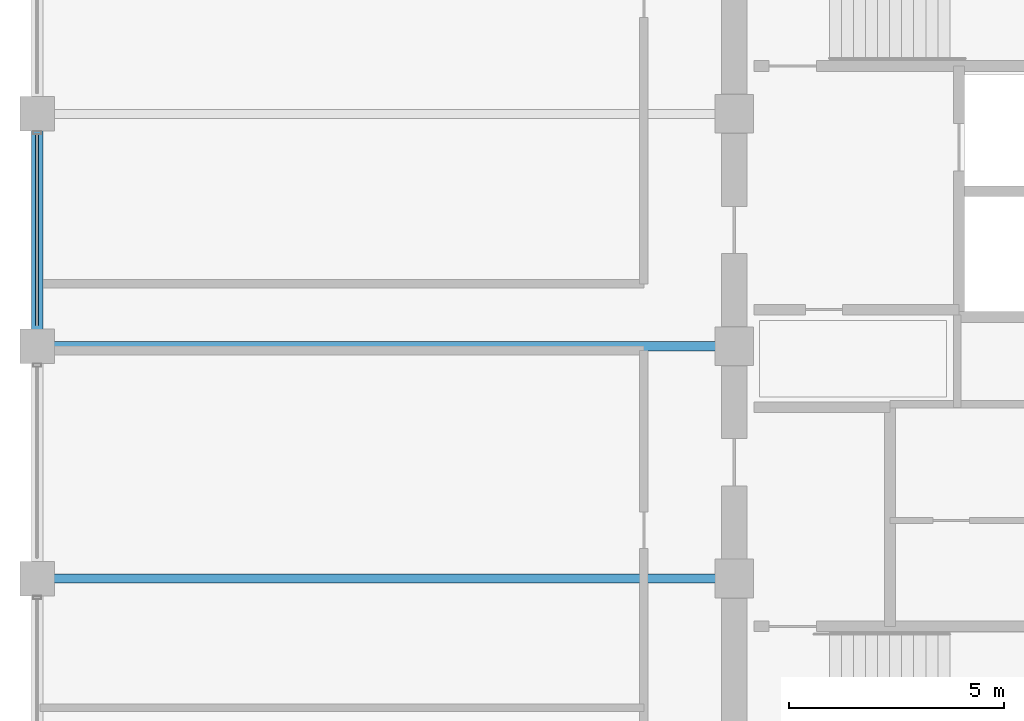
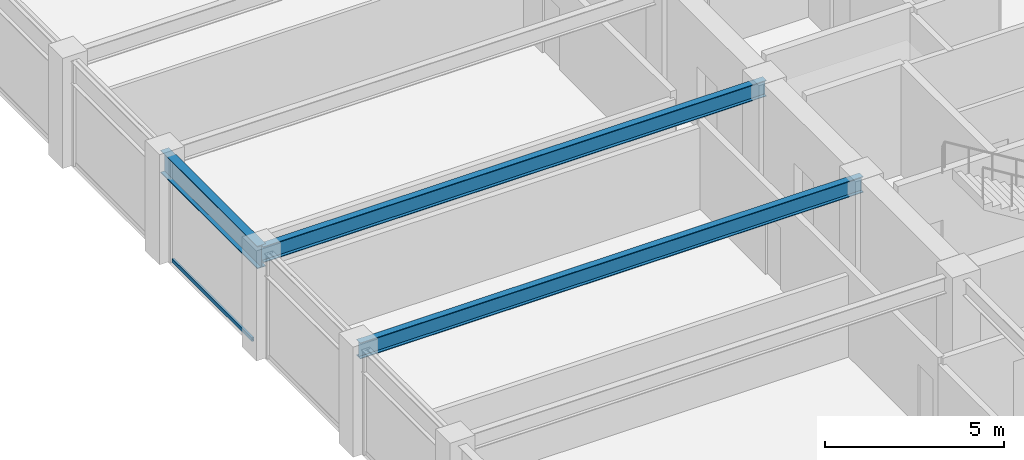
# One storey, part 9 of 32: 3 beams, 1 member, 1 element without a shape of its own.
"""IFC4 building model written with IfcOpenShell, lengths in metres."""

import ifcopenshell
import ifcopenshell.guid

model = None  # the IFC model being written
_history = None  # IfcOwnerHistory: only IFC2X3 demands one
_inside = {}  # id of a spatial element -> (the spatial element, [elements in it])
_under = {}  # id of a project, library or spatial element -> (it, [spatial elements below it])
_declared = {}  # id of a project -> (the project, [libraries it declares])
_typed = {}  # id of a type object -> (the type object, [elements of that type])
_made_of = {}  # id of a material, layer set ... -> (it, [elements and type objects made of it])


def new_model(schema):
    """Start an empty IFC model of exactly this schema.

    Asked for "IFC4X3", IfcOpenShell would pick the latest addendum, in which some entities
    have other attributes; the version numbers below select the first issue.
    IFC2X3 requires an IfcOwnerHistory on every rooted entity: one is made here for all.
    """
    global model, _history
    if schema == "IFC4X3":
        model = ifcopenshell.file(schema_version=(4, 3, 0, 0))
    else:
        model = ifcopenshell.file(schema=schema)
    _inside.clear()
    _under.clear()
    _declared.clear()
    _typed.clear()
    _made_of.clear()
    _history = None
    if model.schema == "IFC2X3":
        org = make("IfcOrganization", Name="unknown")
        user = make(
            "IfcPersonAndOrganization",
            ThePerson=make("IfcPerson", FamilyName="unknown"),
            TheOrganization=org,
        )
        app = make(
            "IfcApplication",
            ApplicationDeveloper=org,
            Version="unknown",
            ApplicationFullName="unknown",
            ApplicationIdentifier="unknown",
        )
        _history = make(
            "IfcOwnerHistory",
            OwningUser=user,
            OwningApplication=app,
            ChangeAction="ADDED",
            CreationDate=0,
        )
    return model


def make(cls, **values):
    """One entity of the class cls with the attributes given. An attribute that is None is left unset."""
    return model.create_entity(
        cls, **{name: value for name, value in values.items() if value is not None}
    )


def rooted(cls, **values):
    """An entity with a GlobalId (a new one), such as an element, a storey or a relation."""
    return make(cls, GlobalId=ifcopenshell.guid.new(), OwnerHistory=_history, **values)


def si_unit(unit_type, name, prefix=None):
    """IfcSIUnit, for example si_unit("LENGTHUNIT", "METRE", prefix="MILLI")."""
    return make("IfcSIUnit", UnitType=unit_type, Prefix=prefix, Name=name)


def assignment(units):
    """IfcUnitAssignment: the units of a project."""
    return None if units is None else make("IfcUnitAssignment", Units=units)


def point(xyz):
    """IfcCartesianPoint."""
    return None if xyz is None else make("IfcCartesianPoint", Coordinates=xyz)


def direction(xyz):
    """IfcDirection."""
    return None if xyz is None else make("IfcDirection", DirectionRatios=xyz)


def frame(location, z_axis=None, x_axis=None):
    """IfcAxis2Placement3D, a coordinate frame: its origin and axes. An axis left out is left unset."""
    return make(
        "IfcAxis2Placement3D",
        Location=point(location),
        Axis=direction(z_axis),
        RefDirection=direction(x_axis),
    )


def frame_2d(location, x_axis=None):
    """IfcAxis2Placement2D, a coordinate frame in the plane: its origin and x axis."""
    return make(
        "IfcAxis2Placement2D", Location=point(location), RefDirection=direction(x_axis)
    )


def origin():
    """The frame at (0, 0, 0) with its axes left unset."""
    return frame((0.0, 0.0, 0.0))


def origin_2d():
    """The frame at (0, 0) in the plane with its x axis left unset."""
    return frame_2d((0.0, 0.0))


def place(relative_to, where):
    """IfcLocalPlacement: puts the frame where relative to a parent placement (None: the world)."""
    return make(
        "IfcLocalPlacement", PlacementRelTo=relative_to, RelativePlacement=where
    )


def context(
    kind, dimensions, precision=None, world=None, true_north=None, identifier=None
):
    """IfcGeometricRepresentationContext, for example the 3D "Model" context."""
    return make(
        "IfcGeometricRepresentationContext",
        ContextIdentifier=identifier,
        ContextType=kind,
        CoordinateSpaceDimension=dimensions,
        Precision=precision,
        WorldCoordinateSystem=world,
        TrueNorth=true_north,
    )


def subcontext(parent, identifier, kind, view, scale=None):
    """IfcGeometricRepresentationSubContext, for example "Body" below "Model"."""
    return make(
        "IfcGeometricRepresentationSubContext",
        ContextIdentifier=identifier,
        ContextType=kind,
        ParentContext=parent,
        TargetScale=scale,
        TargetView=view,
    )


def project(units=None, contexts=None):
    """IfcProject with its units and contexts."""
    return rooted(
        "IfcProject",
        Name="project",
        RepresentationContexts=contexts,
        UnitsInContext=assignment(units),
    )


def spatial(cls, under=None, at=None, **own):
    """A site, building, storey or space (cls), placed at a placement, below another one or the project."""
    s = rooted(cls, ObjectPlacement=at, **own)
    if under is not None:
        _under.setdefault(under.id(), (under, []))[1].append(s)
    return s


def profile(cls, at=None, kind="AREA", **sizes):
    """A parametric profile (cls). Its sizes go by their IFC names, for example OverallWidth=200.0."""
    return make(cls, ProfileType=kind, Position=at, **sizes)


def hollow_rectangle(**sizes):
    """IfcRectangleHollowProfileDef."""
    return profile("IfcRectangleHollowProfileDef", **sizes)


def i_section(**sizes):
    """IfcIShapeProfileDef."""
    return profile("IfcIShapeProfileDef", **sizes)


def extrude(swept, where, along, depth):
    """IfcExtrudedAreaSolid: the profile swept, set in the frame where, extruded along a direction by depth."""
    return make(
        "IfcExtrudedAreaSolid",
        SweptArea=swept,
        Position=where,
        ExtrudedDirection=direction(along),
        Depth=depth,
    )


def shape(context_of_items, identifier, shape_type, items):
    """IfcShapeRepresentation: the items that make up one representation, for example the "Body"."""
    return make(
        "IfcShapeRepresentation",
        ContextOfItems=context_of_items,
        RepresentationIdentifier=identifier,
        RepresentationType=shape_type,
        Items=items,
    )


def material(Name=None, Category=None):
    """IfcMaterial."""
    return make("IfcMaterial", Name=Name, Category=Category)


def layer(
    of_material, thickness, ventilated=None, Name=None, Category=None, Priority=None
):
    """IfcMaterialLayer: one layer of a wall or slab, of a material (None: an air gap)."""
    return make(
        "IfcMaterialLayer",
        Material=of_material,
        LayerThickness=thickness,
        IsVentilated=ventilated,
        Name=Name,
        Category=Category,
        Priority=Priority,
    )


def layer_set(layers, Name=None):
    """IfcMaterialLayerSet."""
    return make("IfcMaterialLayerSet", MaterialLayers=layers, LayerSetName=Name)


def material_profile(
    of_material, cross_section, Name=None, Category=None, Priority=None
):
    """IfcMaterialProfile: a cross section and its material."""
    return make(
        "IfcMaterialProfile",
        Name=Name,
        Material=of_material,
        Profile=cross_section,
        Priority=Priority,
        Category=Category,
    )


def profile_set(profiles, Name=None, composite=None):
    """IfcMaterialProfileSet."""
    return make(
        "IfcMaterialProfileSet",
        Name=Name,
        MaterialProfiles=profiles,
        CompositeProfile=composite,
    )


def made_of(thing, what):
    """Note that an element or type object is made of a material, layer set ...; save() writes the relation."""
    if what is not None:
        _made_of.setdefault(what.id(), (what, []))[1].append(thing)
    return thing


def type_object(cls, material=None, **own):
    """A type object (cls), such as IfcWallType, which elements share."""
    return made_of(rooted(cls, **own), material)


def element(
    cls,
    number,
    at=None,
    inside=None,
    cuts=None,
    type_object=None,
    material=None,
    context=None,
    identifier="Body",
    shape_type=None,
    held_by="IfcProductDefinitionShape",
    body=None,
    shapes=None,
    **own,
):
    """One element of the class cls, such as IfcWall. Its Tag is "e" and its number.

    at: its placement. inside: the storey or other place that contains it. cuts: it is an
    opening in that element (IfcRelVoidsElement). A single representation is given by context,
    identifier, shape_type and body (its items); several are given by shapes. held_by: the class
    of the entity that holds the representations. save() writes the other relations.
    """
    e = rooted(cls, Tag="e%d" % number, ObjectPlacement=at, **own)
    if body is not None:
        shapes = [shape(context, identifier, shape_type, body)]
    if shapes is not None:
        e.Representation = make(held_by, Representations=shapes)
    if inside is not None:
        _inside.setdefault(inside.id(), (inside, []))[1].append(e)
    if cuts is not None:
        rooted(
            "IfcRelVoidsElement", RelatingBuildingElement=cuts, RelatedOpeningElement=e
        )
    if type_object is not None:
        _typed.setdefault(type_object.id(), (type_object, []))[1].append(e)
    return made_of(e, material)


def aggregate(whole, parts):
    """IfcRelAggregates: a whole, such as a stair, and the parts it consists of."""
    return rooted("IfcRelAggregates", RelatingObject=whole, RelatedObjects=parts)


def save(model, path):
    """Write the relations noted so far, then the file.

    IfcRelAggregates (storeys below a building ...), IfcRelContainedInSpatialStructure (elements
    in a storey), IfcRelDefinesByType, IfcRelAssociatesMaterial and IfcRelDeclares: one each for
    every whole, place, type object, material and project.
    """
    for whole, parts in _under.values():
        aggregate(whole, parts)
    for where, things in _inside.values():
        rooted(
            "IfcRelContainedInSpatialStructure",
            RelatedElements=things,
            RelatingStructure=where,
        )
    for kind, things in _typed.values():
        rooted("IfcRelDefinesByType", RelatedObjects=things, RelatingType=kind)
    for what, things in _made_of.values():
        rooted("IfcRelAssociatesMaterial", RelatedObjects=things, RelatingMaterial=what)
    for by, libraries in _declared.values():
        rooted("IfcRelDeclares", RelatingContext=by, RelatedDefinitions=libraries)
    model.write(path)


model = new_model("IFC4")

# Units and contexts
model_context = context("Model", 3, precision=1e-05, world=origin(), true_north=direction((0.0, 1.0)))
body_context = subcontext(model_context, "Body", "Model", "MODEL_VIEW")
ifc_project = project(units=[si_unit("LENGTHUNIT", "METRE"), si_unit("AREAUNIT", "SQUARE_METRE"), si_unit("VOLUMEUNIT", "CUBIC_METRE"), si_unit("PLANEANGLEUNIT", "RADIAN"), si_unit("MASSUNIT", "GRAM", prefix="KILO")], contexts=[model_context])

# Site, building, storey
site_placement = place(None, origin())
site = spatial("IfcSite", under=ifc_project, at=site_placement, CompositionType="ELEMENT")
building_placement = place(site_placement, origin())
building = spatial("IfcBuilding", under=site, at=building_placement, Name="Surkhivell Harbour Commons", CompositionType="ELEMENT")
storey_placement = place(building_placement, frame((0.0, 0.0, 216.0)))
storey = spatial("IfcBuildingStorey", under=building, at=storey_placement, Name="L56", CompositionType="ELEMENT", Elevation=216.0)

# Beams
ifc_material_1 = material(Name="Steel S355", Category="steel")
ifc_material_profile_1 = material_profile(ifc_material_1, i_section(OverallWidth=0.2119140625, OverallDepth=0.5439453125, WebThickness=0.0126953125, FlangeThickness=0.021240234375, at=origin_2d()), Name="UB533x210x122")
ifc_profile_set_1 = profile_set([ifc_material_profile_1], Name="Steel S355")
beam_type_1 = type_object("IfcBeamType", Name="BM-GRD-533A", PredefinedType="BEAM", material=ifc_profile_set_1)
for number, where, z_axis, x_axis, name in (
    (1, (-27.0, -5.39990234375, 3.298095703125), (1.0, 0.0, 0.0), (0.0, 1.0, 0.0), "L56 Floor Girder (-27.0,-5.4)"),
    (2, (-27.0, 0.0, 3.298095703125), (1.0, 0.0, 0.0), (0.0, 1.0, 0.0), "L56 Floor Girder (-27.0,0.0)"),
):
    element("IfcBeam", number, at=place(storey_placement, frame(where, z_axis=z_axis, x_axis=x_axis)), inside=storey, type_object=beam_type_1, Name=name, PredefinedType="BEAM", context=body_context, shape_type="SweptSolid", body=[
        extrude(i_section(OverallWidth=0.2119140625, OverallDepth=0.5439453125, WebThickness=0.0126953125, FlangeThickness=0.021240234375, at=origin_2d()), origin(), (0.0, 0.0, 1.0), 16.199951171875),
    ])
ifc_material_profile_2 = material_profile(ifc_material_1, i_section(OverallWidth=0.26806640625, OverallDepth=0.77001953125, WebThickness=0.015625, FlangeThickness=0.025390625, at=origin_2d()), Name="UB762x267x197")
ifc_profile_set_2 = profile_set([ifc_material_profile_2], Name="Steel S355")
beam_type_2 = type_object("IfcBeamType", Name="BM-SPN-762", PredefinedType="SPANDREL", material=ifc_profile_set_2)
beam_placement = place(storey_placement, frame((-27.0, 0.0, 3.18505859375), z_axis=(0.0, 1.0, 0.0), x_axis=(-1.0, 0.0, 0.0)))
element("IfcBeam", 3, at=beam_placement, inside=storey, type_object=beam_type_2, Name="L56 Tube Spandrel (-27.0,0.0)", PredefinedType="SPANDREL", context=body_context, shape_type="SweptSolid", body=[
    extrude(i_section(OverallWidth=0.26806640625, OverallDepth=0.77001953125, WebThickness=0.015625, FlangeThickness=0.025390625, at=origin_2d()), origin(), (0.0, 0.0, 1.0), 5.39990234375),
])

# Curtain wall, member
ifc_material_2 = material(Name="Anodised pale-metal aluminium and insulated glazing", Category="aluminium")
ifc_layer = layer(ifc_material_2, 0.18994140625)
ifc_layer_set = layer_set([ifc_layer], Name="Anodised pale-metal aluminium and insulated glazing")
curtain_wall_type = type_object("IfcCurtainWallType", Name="CW-SYS-Z3", PredefinedType="NOTDEFINED", material=ifc_layer_set)
curtain_wall_placement = place(storey_placement, origin())
curtain_wall = element("IfcCurtainWall", 4, at=curtain_wall_placement, inside=storey, type_object=curtain_wall_type, Name="L56 Curtain Wall CW-L56-E12S1", PredefinedType="NOTDEFINED")
ifc_material_3 = material(Name="Champagne anodised aluminium alloy 6063-T6", Category="aluminium")
ifc_material_profile_3 = material_profile(ifc_material_3, hollow_rectangle(XDim=0.070068359375, YDim=0.1298828125, WallThickness=0.00341796875, at=origin_2d()), Name="ALU-TRAN-70x130")
ifc_profile_set_3 = profile_set([ifc_material_profile_3], Name="Champagne anodised aluminium alloy 6063-T6")
member_type = type_object("IfcMemberType", Name="CWT-130", PredefinedType="USERDEFINED", material=ifc_profile_set_3)
member_placement = place(storey_placement, frame((-27.0, 4.923095703125, 0.06494140625), z_axis=(0.0, -1.0, 0.0), x_axis=(1.0, 0.0, 0.0)))
member = element("IfcMember", 5, at=member_placement, type_object=member_type, Name="CW-Z3 transom 4.1", ObjectType="TRANSOM", PredefinedType="USERDEFINED", context=body_context, shape_type="SweptSolid", body=[
    extrude(hollow_rectangle(XDim=0.070068359375, YDim=0.1298828125, WallThickness=0.00341796875, at=origin_2d()), origin(), (0.0, 0.0, 1.0), 4.446044921875),
])
aggregate(curtain_wall, [member])

save(model, "model.ifc")
